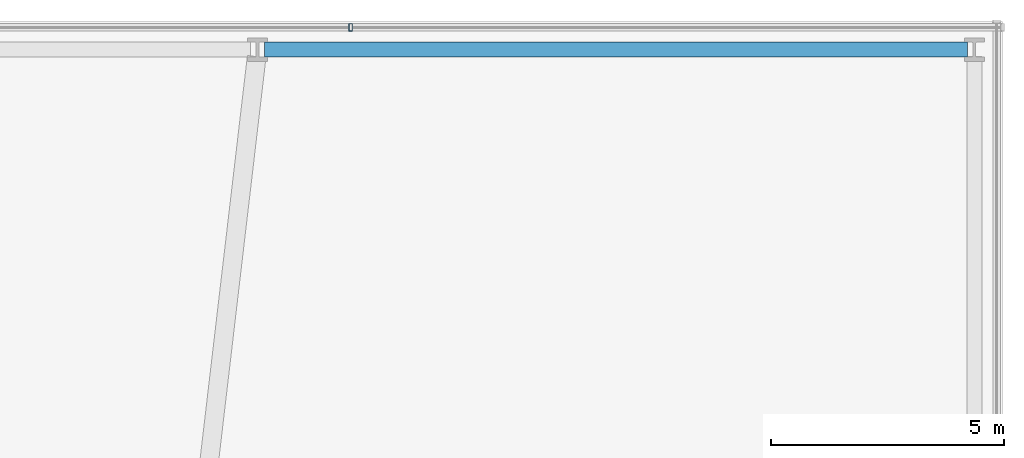
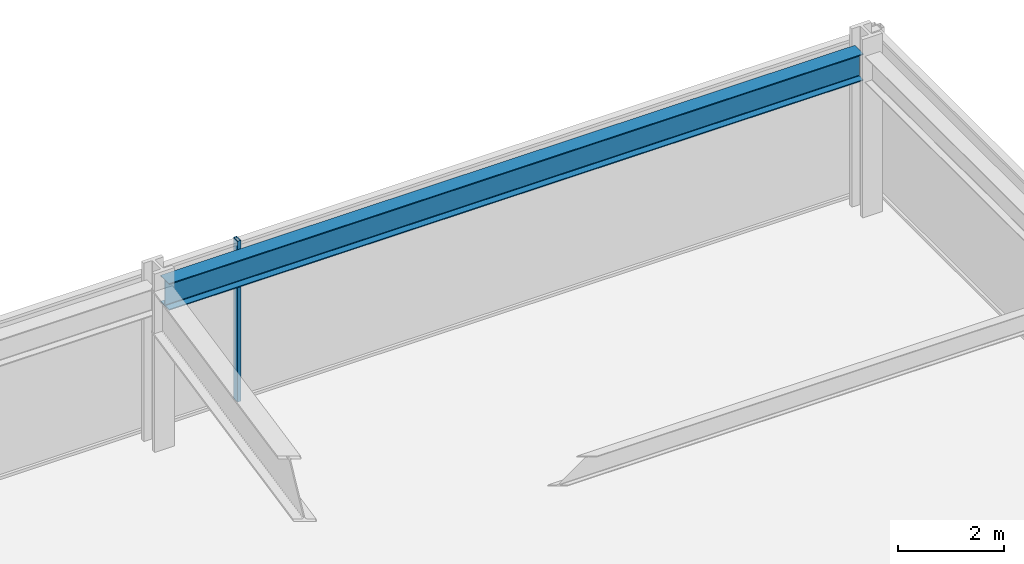
# One storey, part 30 of 39: 1 beam, 1 member, 1 element without a shape of its own.
"""IFC4 building model written with IfcOpenShell, lengths in metres."""

from ifc_helpers import new_model, si_unit, direction, frame, origin, origin_2d, place, context, subcontext, project, spatial, hollow_rectangle, i_section, extrude, material, material_profile, profile_set, type_object, element, aggregate, save


model = new_model("IFC4")

# Units and contexts
model_context = context("Model", 3, precision=1e-05, world=origin(), true_north=direction((0.0, 1.0)))
body_context = subcontext(model_context, "Body", "Model", "MODEL_VIEW")
ifc_project = project(units=[si_unit("LENGTHUNIT", "METRE"), si_unit("AREAUNIT", "SQUARE_METRE"), si_unit("VOLUMEUNIT", "CUBIC_METRE"), si_unit("PLANEANGLEUNIT", "RADIAN"), si_unit("MASSUNIT", "GRAM", prefix="KILO")], contexts=[model_context])

# Site, building, storey
site_placement = place(None, origin())
site = spatial("IfcSite", under=ifc_project, at=site_placement, CompositionType="ELEMENT")
building_placement = place(site_placement, origin())
building = spatial("IfcBuilding", under=site, at=building_placement, Name="Kolvaren Belvedere", CompositionType="ELEMENT")
storey_placement = place(building_placement, frame((0.0, 0.0, 15.199951171875)))
storey = spatial("IfcBuildingStorey", under=building, at=storey_placement, Name="L04", CompositionType="ELEMENT", Elevation=15.199951171875)

# Beam
ifc_material_1 = material(Name="Structural steel ASTM A992 Grade 50", Category="steel")
ifc_material_profile_1 = material_profile(ifc_material_1, i_section(OverallWidth=0.324951171875, OverallDepth=0.615966796875, WebThickness=0.013916015625, FlangeThickness=0.021484375, FilletRadius=0.02001953125, at=origin_2d()), Name="W24X117")
ifc_profile_set_1 = profile_set([ifc_material_profile_1], Name="Structural steel ASTM A992 Grade 50")
beam_type = type_object("IfcBeamType", Name="BM-SPAN-W24X117", PredefinedType="SPANDREL", material=ifc_profile_set_1)
beam_placement = place(storey_placement, frame((12.14990234375, 27.800048828125, 3.39208984375), z_axis=(1.0, 0.0, 0.0), x_axis=(0.0, 1.0, 0.0)))
element("IfcBeam", 1, at=beam_placement, inside=storey, type_object=beam_type, Name="L04 North Podium Spandrel 3", PredefinedType="SPANDREL", context=body_context, shape_type="SweptSolid", body=[
    extrude(i_section(OverallWidth=0.324951171875, OverallDepth=0.615966796875, WebThickness=0.013916015625, FlangeThickness=0.021484375, FilletRadius=0.02001953125, at=origin_2d()), origin(), (0.0, 0.0, 1.0), 15.10009765625),
])

# Curtain wall, member
ifc_material_2 = material(Name="Anodised pale-metal aluminium AA 6063-T6", Category="aluminium")
curtain_wall_type = type_object("IfcCurtainWallType", Name="CW-POD-A", PredefinedType="NOTDEFINED", material=ifc_material_2)
curtain_wall_placement = place(storey_placement, origin())
curtain_wall = element("IfcCurtainWall", 2, at=curtain_wall_placement, inside=storey, type_object=curtain_wall_type, Name="L04 Unitised Curtain Wall FCW-L04-N", PredefinedType="NOTDEFINED")
ifc_material_3 = material(Name="Anodised pale-metal aluminium AA 6063-T6", Category="aluminium")
ifc_material_profile_2 = material_profile(ifc_material_3, hollow_rectangle(XDim=0.074951171875, YDim=0.159912109375, WallThickness=0.00439453125, at=origin_2d()), Name="ALU-MUL-160X75")
ifc_profile_set_2 = profile_set([ifc_material_profile_2], Name="Anodised pale-metal aluminium AA 6063-T6")
member_type = type_object("IfcMemberType", Name="CW-MUL-160", PredefinedType="MULLION", material=ifc_profile_set_2)
member_placement = place(storey_placement, frame((14.0, 28.280029296875, 0.0), z_axis=(0.0, 0.0, 1.0), x_axis=(1.0, 0.0, 0.0)))
member = element("IfcMember", 3, at=member_placement, type_object=member_type, Name="FCW-L04-N Unitised Mullion 4", PredefinedType="MULLION", context=body_context, shape_type="SweptSolid", body=[
    extrude(hollow_rectangle(XDim=0.074951171875, YDim=0.159912109375, WallThickness=0.00439453125, at=origin_2d()), origin(), (0.0, 0.0, 1.0), 3.699951171875),
])
aggregate(curtain_wall, [member])

save(model, "model.ifc")
